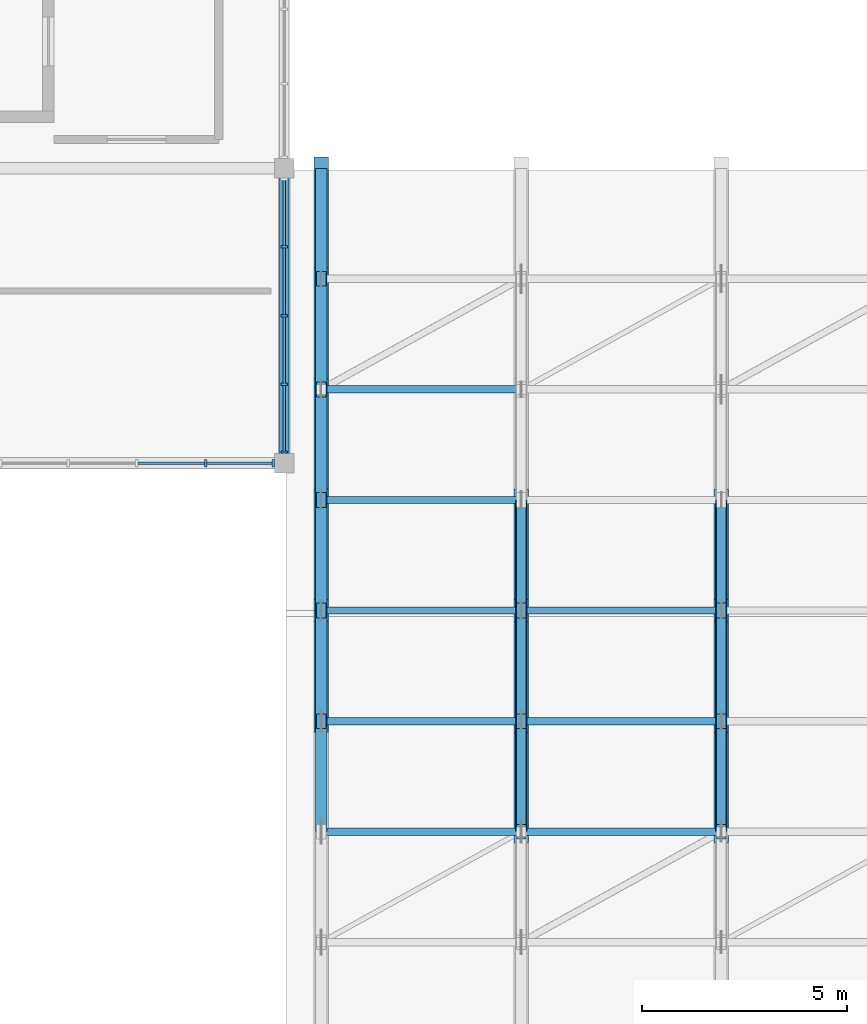
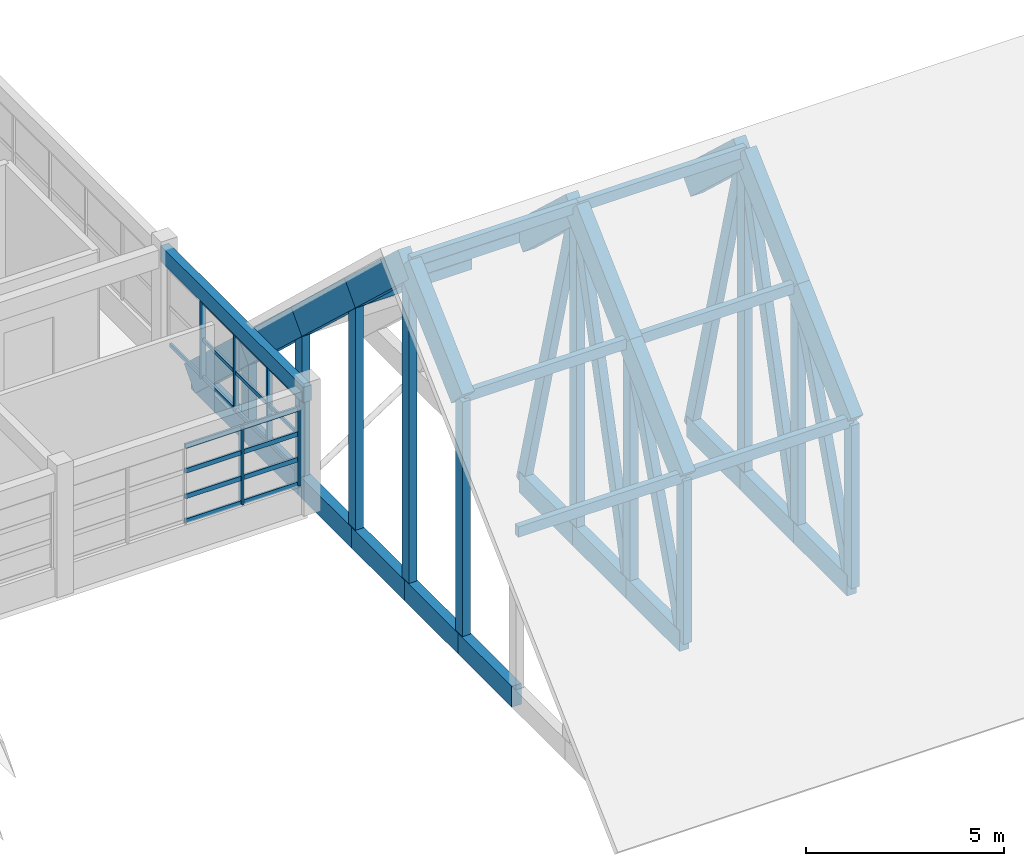
# One storey, part 21 of 79: 72 members, 1 beam, 2 elements without a shape of their own.
"""IFC4 building model written with IfcOpenShell, lengths in metres."""

import ifcopenshell
import ifcopenshell.guid

model = None  # the IFC model being written
_history = None  # IfcOwnerHistory: only IFC2X3 demands one
_inside = {}  # id of a spatial element -> (the spatial element, [elements in it])
_under = {}  # id of a project, library or spatial element -> (it, [spatial elements below it])
_declared = {}  # id of a project -> (the project, [libraries it declares])
_typed = {}  # id of a type object -> (the type object, [elements of that type])
_made_of = {}  # id of a material, layer set ... -> (it, [elements and type objects made of it])


def new_model(schema):
    """Start an empty IFC model of exactly this schema.

    Asked for "IFC4X3", IfcOpenShell would pick the latest addendum, in which some entities
    have other attributes; the version numbers below select the first issue.
    IFC2X3 requires an IfcOwnerHistory on every rooted entity: one is made here for all.
    """
    global model, _history
    if schema == "IFC4X3":
        model = ifcopenshell.file(schema_version=(4, 3, 0, 0))
    else:
        model = ifcopenshell.file(schema=schema)
    _inside.clear()
    _under.clear()
    _declared.clear()
    _typed.clear()
    _made_of.clear()
    _history = None
    if model.schema == "IFC2X3":
        org = make("IfcOrganization", Name="unknown")
        user = make(
            "IfcPersonAndOrganization",
            ThePerson=make("IfcPerson", FamilyName="unknown"),
            TheOrganization=org,
        )
        app = make(
            "IfcApplication",
            ApplicationDeveloper=org,
            Version="unknown",
            ApplicationFullName="unknown",
            ApplicationIdentifier="unknown",
        )
        _history = make(
            "IfcOwnerHistory",
            OwningUser=user,
            OwningApplication=app,
            ChangeAction="ADDED",
            CreationDate=0,
        )
    return model


def make(cls, **values):
    """One entity of the class cls with the attributes given. An attribute that is None is left unset."""
    return model.create_entity(
        cls, **{name: value for name, value in values.items() if value is not None}
    )


def rooted(cls, **values):
    """An entity with a GlobalId (a new one), such as an element, a storey or a relation."""
    return make(cls, GlobalId=ifcopenshell.guid.new(), OwnerHistory=_history, **values)


def si_unit(unit_type, name, prefix=None):
    """IfcSIUnit, for example si_unit("LENGTHUNIT", "METRE", prefix="MILLI")."""
    return make("IfcSIUnit", UnitType=unit_type, Prefix=prefix, Name=name)


def assignment(units):
    """IfcUnitAssignment: the units of a project."""
    return None if units is None else make("IfcUnitAssignment", Units=units)


def point(xyz):
    """IfcCartesianPoint."""
    return None if xyz is None else make("IfcCartesianPoint", Coordinates=xyz)


def direction(xyz):
    """IfcDirection."""
    return None if xyz is None else make("IfcDirection", DirectionRatios=xyz)


def frame(location, z_axis=None, x_axis=None):
    """IfcAxis2Placement3D, a coordinate frame: its origin and axes. An axis left out is left unset."""
    return make(
        "IfcAxis2Placement3D",
        Location=point(location),
        Axis=direction(z_axis),
        RefDirection=direction(x_axis),
    )


def frame_2d(location, x_axis=None):
    """IfcAxis2Placement2D, a coordinate frame in the plane: its origin and x axis."""
    return make(
        "IfcAxis2Placement2D", Location=point(location), RefDirection=direction(x_axis)
    )


def origin():
    """The frame at (0, 0, 0) with its axes left unset."""
    return frame((0.0, 0.0, 0.0))


def origin_2d():
    """The frame at (0, 0) in the plane with its x axis left unset."""
    return frame_2d((0.0, 0.0))


def place(relative_to, where):
    """IfcLocalPlacement: puts the frame where relative to a parent placement (None: the world)."""
    return make(
        "IfcLocalPlacement", PlacementRelTo=relative_to, RelativePlacement=where
    )


def context(
    kind, dimensions, precision=None, world=None, true_north=None, identifier=None
):
    """IfcGeometricRepresentationContext, for example the 3D "Model" context."""
    return make(
        "IfcGeometricRepresentationContext",
        ContextIdentifier=identifier,
        ContextType=kind,
        CoordinateSpaceDimension=dimensions,
        Precision=precision,
        WorldCoordinateSystem=world,
        TrueNorth=true_north,
    )


def subcontext(parent, identifier, kind, view, scale=None):
    """IfcGeometricRepresentationSubContext, for example "Body" below "Model"."""
    return make(
        "IfcGeometricRepresentationSubContext",
        ContextIdentifier=identifier,
        ContextType=kind,
        ParentContext=parent,
        TargetScale=scale,
        TargetView=view,
    )


def project(units=None, contexts=None):
    """IfcProject with its units and contexts."""
    return rooted(
        "IfcProject",
        Name="project",
        RepresentationContexts=contexts,
        UnitsInContext=assignment(units),
    )


def spatial(cls, under=None, at=None, **own):
    """A site, building, storey or space (cls), placed at a placement, below another one or the project."""
    s = rooted(cls, ObjectPlacement=at, **own)
    if under is not None:
        _under.setdefault(under.id(), (under, []))[1].append(s)
    return s


def profile(cls, at=None, kind="AREA", **sizes):
    """A parametric profile (cls). Its sizes go by their IFC names, for example OverallWidth=200.0."""
    return make(cls, ProfileType=kind, Position=at, **sizes)


def rectangle(**sizes):
    """IfcRectangleProfileDef."""
    return profile("IfcRectangleProfileDef", **sizes)


def extrude(swept, where, along, depth):
    """IfcExtrudedAreaSolid: the profile swept, set in the frame where, extruded along a direction by depth."""
    return make(
        "IfcExtrudedAreaSolid",
        SweptArea=swept,
        Position=where,
        ExtrudedDirection=direction(along),
        Depth=depth,
    )


def shape(context_of_items, identifier, shape_type, items):
    """IfcShapeRepresentation: the items that make up one representation, for example the "Body"."""
    return make(
        "IfcShapeRepresentation",
        ContextOfItems=context_of_items,
        RepresentationIdentifier=identifier,
        RepresentationType=shape_type,
        Items=items,
    )


def material(Name=None, Category=None):
    """IfcMaterial."""
    return make("IfcMaterial", Name=Name, Category=Category)


def material_profile(
    of_material, cross_section, Name=None, Category=None, Priority=None
):
    """IfcMaterialProfile: a cross section and its material."""
    return make(
        "IfcMaterialProfile",
        Name=Name,
        Material=of_material,
        Profile=cross_section,
        Priority=Priority,
        Category=Category,
    )


def profile_set(profiles, Name=None, composite=None):
    """IfcMaterialProfileSet."""
    return make(
        "IfcMaterialProfileSet",
        Name=Name,
        MaterialProfiles=profiles,
        CompositeProfile=composite,
    )


def made_of(thing, what):
    """Note that an element or type object is made of a material, layer set ...; save() writes the relation."""
    if what is not None:
        _made_of.setdefault(what.id(), (what, []))[1].append(thing)
    return thing


def type_object(cls, material=None, **own):
    """A type object (cls), such as IfcWallType, which elements share."""
    return made_of(rooted(cls, **own), material)


def element(
    cls,
    number,
    at=None,
    inside=None,
    cuts=None,
    type_object=None,
    material=None,
    context=None,
    identifier="Body",
    shape_type=None,
    held_by="IfcProductDefinitionShape",
    body=None,
    shapes=None,
    **own,
):
    """One element of the class cls, such as IfcWall. Its Tag is "e" and its number.

    at: its placement. inside: the storey or other place that contains it. cuts: it is an
    opening in that element (IfcRelVoidsElement). A single representation is given by context,
    identifier, shape_type and body (its items); several are given by shapes. held_by: the class
    of the entity that holds the representations. save() writes the other relations.
    """
    e = rooted(cls, Tag="e%d" % number, ObjectPlacement=at, **own)
    if body is not None:
        shapes = [shape(context, identifier, shape_type, body)]
    if shapes is not None:
        e.Representation = make(held_by, Representations=shapes)
    if inside is not None:
        _inside.setdefault(inside.id(), (inside, []))[1].append(e)
    if cuts is not None:
        rooted(
            "IfcRelVoidsElement", RelatingBuildingElement=cuts, RelatedOpeningElement=e
        )
    if type_object is not None:
        _typed.setdefault(type_object.id(), (type_object, []))[1].append(e)
    return made_of(e, material)


def aggregate(whole, parts):
    """IfcRelAggregates: a whole, such as a stair, and the parts it consists of."""
    return rooted("IfcRelAggregates", RelatingObject=whole, RelatedObjects=parts)


def save(model, path):
    """Write the relations noted so far, then the file.

    IfcRelAggregates (storeys below a building ...), IfcRelContainedInSpatialStructure (elements
    in a storey), IfcRelDefinesByType, IfcRelAssociatesMaterial and IfcRelDeclares: one each for
    every whole, place, type object, material and project.
    """
    for whole, parts in _under.values():
        aggregate(whole, parts)
    for where, things in _inside.values():
        rooted(
            "IfcRelContainedInSpatialStructure",
            RelatedElements=things,
            RelatingStructure=where,
        )
    for kind, things in _typed.values():
        rooted("IfcRelDefinesByType", RelatedObjects=things, RelatingType=kind)
    for what, things in _made_of.values():
        rooted("IfcRelAssociatesMaterial", RelatedObjects=things, RelatingMaterial=what)
    for by, libraries in _declared.values():
        rooted("IfcRelDeclares", RelatingContext=by, RelatedDefinitions=libraries)
    model.write(path)


model = new_model("IFC4")

# Units and contexts
model_context = context("Model", 3, precision=1e-05, world=origin(), true_north=direction((0.0, 1.0)))
body_context = subcontext(model_context, "Body", "Model", "MODEL_VIEW")
ifc_project = project(units=[si_unit("LENGTHUNIT", "METRE"), si_unit("AREAUNIT", "SQUARE_METRE"), si_unit("VOLUMEUNIT", "CUBIC_METRE"), si_unit("PLANEANGLEUNIT", "RADIAN"), si_unit("MASSUNIT", "GRAM", prefix="KILO")], contexts=[model_context])

# Site, building, storey
site_placement = place(None, origin())
site = spatial("IfcSite", under=ifc_project, at=site_placement, CompositionType="ELEMENT")
building_placement = place(site_placement, origin())
building = spatial("IfcBuilding", under=site, at=building_placement, Name="Nzembalo Square Collegiate School", CompositionType="ELEMENT")
storey_placement = place(building_placement, frame((0.0, 0.0, 9.52001953125)))
storey = spatial("IfcBuildingStorey", under=building, at=storey_placement, Name="L02", CompositionType="ELEMENT", Elevation=9.52001953125)

# Beam
ifc_material_1 = material(Name="Glulam GL28h", Category="wood")
ifc_material_profile_1 = material_profile(ifc_material_1, rectangle(XDim=0.239990234375, YDim=0.47998046875, at=origin_2d()), Name="GL28h 240x480")
ifc_profile_set_1 = profile_set([ifc_material_profile_1], Name="Glulam GL28h")
beam_type = type_object("IfcBeamType", Name="B06", PredefinedType="BEAM", material=ifc_profile_set_1)
beam_placement = place(storey_placement, frame((91.199951171875, 97.199951171875, 3.544921875), z_axis=(0.0, 1.0, 0.0), x_axis=(-1.0, 0.0, 0.0)))
element("IfcBeam", 1, at=beam_placement, inside=storey, type_object=beam_type, Name="Beam B06 L02", PredefinedType="BEAM", context=body_context, shape_type="SweptSolid", body=[
    extrude(rectangle(XDim=0.239990234375, YDim=0.47998046875, at=origin_2d()), origin(), (0.0, 0.0, 1.0), 7.199951171875),
])

# Curtain wall, members
ifc_material_2 = material(Name="Aluminium 6060-T66", Category="aluminium")
curtain_wall_type_1 = type_object("IfcCurtainWallType", Name="CW-02", PredefinedType="USERDEFINED", material=ifc_material_2)
curtain_wall_1_placement = place(storey_placement, origin())
curtain_wall_1 = element("IfcCurtainWall", 2, at=curtain_wall_1_placement, inside=storey, type_object=curtain_wall_type_1, Name="Curtain wall CW-02 cw:L02:113", ObjectType="UNITISED", PredefinedType="USERDEFINED")
ifc_material_3 = material(Name="Aluminium 6060-T66", Category="aluminium")
ifc_material_profile_2 = material_profile(ifc_material_3, rectangle(XDim=0.06005859375, YDim=0.179931640625, at=origin_2d()), Name="ALU M60x180")
ifc_profile_set_2 = profile_set([ifc_material_profile_2], Name="Aluminium 6060-T66")
member_type_1 = type_object("IfcMemberType", Name="ML01", PredefinedType="MULLION", material=ifc_profile_set_2)
member_1_placement = place(storey_placement, frame((89.279052734375, 97.199951171875, 0.85009765625), z_axis=(0.0, 0.0, 1.0), x_axis=(1.0, 0.0, 0.0)))
member_1 = element("IfcMember", 3, at=member_1_placement, type_object=member_type_1, Name="ML01 mullion 4", PredefinedType="MULLION", context=body_context, shape_type="SweptSolid", body=[
    extrude(rectangle(XDim=0.06005859375, YDim=0.179931640625, at=origin_2d()), origin(), (0.0, 0.0, 1.0), 2.368896484375),
])
member_2_placement = place(storey_placement, frame((90.927978515625, 97.199951171875, 0.85009765625), z_axis=(0.0, 0.0, 1.0), x_axis=(1.0, 0.0, 0.0)))
member_2 = element("IfcMember", 4, at=member_2_placement, type_object=member_type_1, Name="ML01 mullion 5", PredefinedType="MULLION", context=body_context, shape_type="SweptSolid", body=[
    extrude(rectangle(XDim=0.06005859375, YDim=0.179931640625, at=origin_2d()), origin(), (0.0, 0.0, 1.0), 2.368896484375),
])

ifc_material_4 = material(Name="Aluminium 6060-T66", Category="aluminium")
curtain_wall_type_2 = type_object("IfcCurtainWallType", Name="CW-07", PredefinedType="USERDEFINED", material=ifc_material_4)
curtain_wall_2_placement = place(storey_placement, origin())
curtain_wall_2 = element("IfcCurtainWall", 5, at=curtain_wall_2_placement, inside=storey, type_object=curtain_wall_type_2, Name="Curtain wall CW-07 cw:L02:110", ObjectType="LANCET", PredefinedType="USERDEFINED")
ifc_material_5 = material(Name="Aluminium 6060-T66", Category="aluminium")
ifc_material_profile_3 = material_profile(ifc_material_5, rectangle(XDim=0.06005859375, YDim=0.14990234375, at=origin_2d()), Name="ALU M60x150")
ifc_profile_set_3 = profile_set([ifc_material_profile_3], Name="Aluminium 6060-T66")
member_type_2 = type_object("IfcMemberType", Name="ML02", PredefinedType="MULLION", material=ifc_profile_set_3)
member_3_placement = place(storey_placement, frame((91.199951171875, 97.471923828125, 0.85009765625), z_axis=(0.0, 0.0, 1.0), x_axis=(0.0, 1.0, 0.0)))
member_3 = element("IfcMember", 6, at=member_3_placement, type_object=member_type_2, Name="ML02 mullion 1", PredefinedType="MULLION", context=body_context, shape_type="SweptSolid", body=[
    extrude(rectangle(XDim=0.06005859375, YDim=0.14990234375, at=origin_2d()), origin(), (0.0, 0.0, 1.0), 2.368896484375),
])
member_4_placement = place(storey_placement, frame((91.199951171875, 99.12109375, 0.85009765625), z_axis=(0.0, 0.0, 1.0), x_axis=(0.0, 1.0, 0.0)))
member_4 = element("IfcMember", 7, at=member_4_placement, type_object=member_type_2, Name="ML02 mullion 2", PredefinedType="MULLION", context=body_context, shape_type="SweptSolid", body=[
    extrude(rectangle(XDim=0.06005859375, YDim=0.14990234375, at=origin_2d()), origin(), (0.0, 0.0, 1.0), 2.368896484375),
])
member_5_placement = place(storey_placement, frame((91.199951171875, 100.800048828125, 0.85009765625), z_axis=(0.0, 0.0, 1.0), x_axis=(0.0, 1.0, 0.0)))
member_5 = element("IfcMember", 8, at=member_5_placement, type_object=member_type_2, Name="ML02 mullion 3", PredefinedType="MULLION", context=body_context, shape_type="SweptSolid", body=[
    extrude(rectangle(XDim=0.06005859375, YDim=0.14990234375, at=origin_2d()), origin(), (0.0, 0.0, 1.0), 2.368896484375),
])
member_6_placement = place(storey_placement, frame((91.199951171875, 102.47900390625, 0.85009765625), z_axis=(0.0, 0.0, 1.0), x_axis=(0.0, 1.0, 0.0)))
member_6 = element("IfcMember", 9, at=member_6_placement, type_object=member_type_2, Name="ML02 mullion 4", PredefinedType="MULLION", context=body_context, shape_type="SweptSolid", body=[
    extrude(rectangle(XDim=0.06005859375, YDim=0.14990234375, at=origin_2d()), origin(), (0.0, 0.0, 1.0), 2.368896484375),
])

# Member
ifc_material_6 = material(Name="Aluminium 6060-T66", Category="aluminium")
ifc_material_profile_4 = material_profile(ifc_material_6, rectangle(XDim=0.06005859375, YDim=0.139892578125, at=origin_2d()), Name="ALU T60x140")
ifc_profile_set_4 = profile_set([ifc_material_profile_4], Name="Aluminium 6060-T66")
member_type_3 = type_object("IfcMemberType", Name="TR01", PredefinedType="USERDEFINED", material=ifc_profile_set_4)
member_7_placement = place(storey_placement, frame((87.6298828125, 97.199951171875, 0.8798828125), z_axis=(1.0, 0.0, 0.0), x_axis=(0.0, 1.0, 0.0)))
member_7 = element("IfcMember", 10, at=member_7_placement, type_object=member_type_3, Name="TR01 transom 1-3", ObjectType="TRANSOM", PredefinedType="USERDEFINED", context=body_context, shape_type="SweptSolid", body=[
    extrude(rectangle(XDim=0.06005859375, YDim=0.139892578125, at=origin_2d()), origin(), (0.0, 0.0, 1.0), 1.619140625),
])

member_8_placement = place(storey_placement, frame((89.30908203125, 97.199951171875, 0.8798828125), z_axis=(1.0, 0.0, 0.0), x_axis=(0.0, 1.0, 0.0)))
member_8 = element("IfcMember", 11, at=member_8_placement, type_object=member_type_3, Name="TR01 transom 1-4", ObjectType="TRANSOM", PredefinedType="USERDEFINED", context=body_context, shape_type="SweptSolid", body=[
    extrude(rectangle(XDim=0.06005859375, YDim=0.139892578125, at=origin_2d()), origin(), (0.0, 0.0, 1.0), 1.5888671875),
])

member_9_placement = place(storey_placement, frame((87.6298828125, 97.199951171875, 1.6396484375), z_axis=(1.0, 0.0, 0.0), x_axis=(0.0, 1.0, 0.0)))
member_9 = element("IfcMember", 12, at=member_9_placement, type_object=member_type_3, Name="TR01 transom 2-3", ObjectType="TRANSOM", PredefinedType="USERDEFINED", context=body_context, shape_type="SweptSolid", body=[
    extrude(rectangle(XDim=0.06005859375, YDim=0.139892578125, at=origin_2d()), origin(), (0.0, 0.0, 1.0), 1.619140625),
])

member_10_placement = place(storey_placement, frame((89.30908203125, 97.199951171875, 1.6396484375), z_axis=(1.0, 0.0, 0.0), x_axis=(0.0, 1.0, 0.0)))
member_10 = element("IfcMember", 13, at=member_10_placement, type_object=member_type_3, Name="TR01 transom 2-4", ObjectType="TRANSOM", PredefinedType="USERDEFINED", context=body_context, shape_type="SweptSolid", body=[
    extrude(rectangle(XDim=0.06005859375, YDim=0.139892578125, at=origin_2d()), origin(), (0.0, 0.0, 1.0), 1.5888671875),
])

member_11_placement = place(storey_placement, frame((87.6298828125, 97.199951171875, 2.42919921875), z_axis=(1.0, 0.0, 0.0), x_axis=(0.0, 1.0, 0.0)))
member_11 = element("IfcMember", 14, at=member_11_placement, type_object=member_type_3, Name="TR01 transom 3-3", ObjectType="TRANSOM", PredefinedType="USERDEFINED", context=body_context, shape_type="SweptSolid", body=[
    extrude(rectangle(XDim=0.06005859375, YDim=0.139892578125, at=origin_2d()), origin(), (0.0, 0.0, 1.0), 1.619140625),
])

member_12_placement = place(storey_placement, frame((89.30908203125, 97.199951171875, 2.42919921875), z_axis=(1.0, 0.0, 0.0), x_axis=(0.0, 1.0, 0.0)))
member_12 = element("IfcMember", 15, at=member_12_placement, type_object=member_type_3, Name="TR01 transom 3-4", ObjectType="TRANSOM", PredefinedType="USERDEFINED", context=body_context, shape_type="SweptSolid", body=[
    extrude(rectangle(XDim=0.06005859375, YDim=0.139892578125, at=origin_2d()), origin(), (0.0, 0.0, 1.0), 1.5888671875),
])

member_13_placement = place(storey_placement, frame((87.6298828125, 97.199951171875, 3.18896484375), z_axis=(1.0, 0.0, 0.0), x_axis=(0.0, 1.0, 0.0)))
member_13 = element("IfcMember", 16, at=member_13_placement, type_object=member_type_3, Name="TR01 transom 4-3", ObjectType="TRANSOM", PredefinedType="USERDEFINED", context=body_context, shape_type="SweptSolid", body=[
    extrude(rectangle(XDim=0.06005859375, YDim=0.139892578125, at=origin_2d()), origin(), (0.0, 0.0, 1.0), 1.619140625),
])

member_14_placement = place(storey_placement, frame((89.30908203125, 97.199951171875, 3.18896484375), z_axis=(1.0, 0.0, 0.0), x_axis=(0.0, 1.0, 0.0)))
member_14 = element("IfcMember", 17, at=member_14_placement, type_object=member_type_3, Name="TR01 transom 4-4", ObjectType="TRANSOM", PredefinedType="USERDEFINED", context=body_context, shape_type="SweptSolid", body=[
    extrude(rectangle(XDim=0.06005859375, YDim=0.139892578125, at=origin_2d()), origin(), (0.0, 0.0, 1.0), 1.5888671875),
])

aggregate(curtain_wall_1, [member_1, member_2, member_7, member_8, member_9, member_10, member_11, member_12, member_13, member_14])

ifc_material_7 = material(Name="Aluminium 6060-T66", Category="aluminium")
ifc_material_profile_5 = material_profile(ifc_material_7, rectangle(XDim=0.06005859375, YDim=0.110107421875, at=origin_2d()), Name="ALU T60x110")
ifc_profile_set_5 = profile_set([ifc_material_profile_5], Name="Aluminium 6060-T66")
member_type_4 = type_object("IfcMemberType", Name="TR02", PredefinedType="USERDEFINED", material=ifc_profile_set_5)
member_15_placement = place(storey_placement, frame((91.199951171875, 97.501953125, 0.8798828125), z_axis=(0.0, 1.0, 0.0), x_axis=(-1.0, 0.0, 0.0)))
member_15 = element("IfcMember", 18, at=member_15_placement, type_object=member_type_4, Name="TR02 transom 1-1", ObjectType="TRANSOM", PredefinedType="USERDEFINED", context=body_context, shape_type="SweptSolid", body=[
    extrude(rectangle(XDim=0.06005859375, YDim=0.110107421875, at=origin_2d()), origin(), (0.0, 0.0, 1.0), 1.589111328125),
])

member_16_placement = place(storey_placement, frame((91.199951171875, 99.15087890625, 0.8798828125), z_axis=(0.0, 1.0, 0.0), x_axis=(-1.0, 0.0, 0.0)))
member_16 = element("IfcMember", 19, at=member_16_placement, type_object=member_type_4, Name="TR02 transom 1-2", ObjectType="TRANSOM", PredefinedType="USERDEFINED", context=body_context, shape_type="SweptSolid", body=[
    extrude(rectangle(XDim=0.06005859375, YDim=0.110107421875, at=origin_2d()), origin(), (0.0, 0.0, 1.0), 1.619140625),
])

member_17_placement = place(storey_placement, frame((91.199951171875, 100.830078125, 0.8798828125), z_axis=(0.0, 1.0, 0.0), x_axis=(-1.0, 0.0, 0.0)))
member_17 = element("IfcMember", 20, at=member_17_placement, type_object=member_type_4, Name="TR02 transom 1-3", ObjectType="TRANSOM", PredefinedType="USERDEFINED", context=body_context, shape_type="SweptSolid", body=[
    extrude(rectangle(XDim=0.06005859375, YDim=0.110107421875, at=origin_2d()), origin(), (0.0, 0.0, 1.0), 1.618896484375),
])

member_18_placement = place(storey_placement, frame((91.199951171875, 102.509033203125, 0.8798828125), z_axis=(0.0, 1.0, 0.0), x_axis=(-1.0, 0.0, 0.0)))
member_18 = element("IfcMember", 21, at=member_18_placement, type_object=member_type_4, Name="TR02 transom 1-4", ObjectType="TRANSOM", PredefinedType="USERDEFINED", context=body_context, shape_type="SweptSolid", body=[
    extrude(rectangle(XDim=0.06005859375, YDim=0.110107421875, at=origin_2d()), origin(), (0.0, 0.0, 1.0), 1.5888671875),
])

member_19_placement = place(storey_placement, frame((91.199951171875, 97.501953125, 2.034423828125), z_axis=(0.0, 1.0, 0.0), x_axis=(-1.0, 0.0, 0.0)))
member_19 = element("IfcMember", 22, at=member_19_placement, type_object=member_type_4, Name="TR02 transom 2-1", ObjectType="TRANSOM", PredefinedType="USERDEFINED", context=body_context, shape_type="SweptSolid", body=[
    extrude(rectangle(XDim=0.06005859375, YDim=0.110107421875, at=origin_2d()), origin(), (0.0, 0.0, 1.0), 1.589111328125),
])

member_20_placement = place(storey_placement, frame((91.199951171875, 99.15087890625, 2.034423828125), z_axis=(0.0, 1.0, 0.0), x_axis=(-1.0, 0.0, 0.0)))
member_20 = element("IfcMember", 23, at=member_20_placement, type_object=member_type_4, Name="TR02 transom 2-2", ObjectType="TRANSOM", PredefinedType="USERDEFINED", context=body_context, shape_type="SweptSolid", body=[
    extrude(rectangle(XDim=0.06005859375, YDim=0.110107421875, at=origin_2d()), origin(), (0.0, 0.0, 1.0), 1.619140625),
])

member_21_placement = place(storey_placement, frame((91.199951171875, 100.830078125, 2.034423828125), z_axis=(0.0, 1.0, 0.0), x_axis=(-1.0, 0.0, 0.0)))
member_21 = element("IfcMember", 24, at=member_21_placement, type_object=member_type_4, Name="TR02 transom 2-3", ObjectType="TRANSOM", PredefinedType="USERDEFINED", context=body_context, shape_type="SweptSolid", body=[
    extrude(rectangle(XDim=0.06005859375, YDim=0.110107421875, at=origin_2d()), origin(), (0.0, 0.0, 1.0), 1.618896484375),
])

member_22_placement = place(storey_placement, frame((91.199951171875, 97.501953125, 3.18896484375), z_axis=(0.0, 1.0, 0.0), x_axis=(-1.0, 0.0, 0.0)))
member_22 = element("IfcMember", 25, at=member_22_placement, type_object=member_type_4, Name="TR02 transom 3-1", ObjectType="TRANSOM", PredefinedType="USERDEFINED", context=body_context, shape_type="SweptSolid", body=[
    extrude(rectangle(XDim=0.06005859375, YDim=0.110107421875, at=origin_2d()), origin(), (0.0, 0.0, 1.0), 1.589111328125),
])

member_23_placement = place(storey_placement, frame((91.199951171875, 99.15087890625, 3.18896484375), z_axis=(0.0, 1.0, 0.0), x_axis=(-1.0, 0.0, 0.0)))
member_23 = element("IfcMember", 26, at=member_23_placement, type_object=member_type_4, Name="TR02 transom 3-2", ObjectType="TRANSOM", PredefinedType="USERDEFINED", context=body_context, shape_type="SweptSolid", body=[
    extrude(rectangle(XDim=0.06005859375, YDim=0.110107421875, at=origin_2d()), origin(), (0.0, 0.0, 1.0), 1.619140625),
])

member_24_placement = place(storey_placement, frame((91.199951171875, 100.830078125, 3.18896484375), z_axis=(0.0, 1.0, 0.0), x_axis=(-1.0, 0.0, 0.0)))
member_24 = element("IfcMember", 27, at=member_24_placement, type_object=member_type_4, Name="TR02 transom 3-3", ObjectType="TRANSOM", PredefinedType="USERDEFINED", context=body_context, shape_type="SweptSolid", body=[
    extrude(rectangle(XDim=0.06005859375, YDim=0.110107421875, at=origin_2d()), origin(), (0.0, 0.0, 1.0), 1.618896484375),
])

aggregate(curtain_wall_2, [member_3, member_4, member_5, member_6, member_15, member_16, member_17, member_18, member_19, member_20, member_21, member_22, member_23, member_24])

# Members
ifc_material_8 = material(Name="Glulam GL28h", Category="wood")
ifc_material_profile_6 = material_profile(ifc_material_8, rectangle(XDim=0.179931640625, YDim=0.320068359375, at=origin_2d()), Name="GL28h 180x320")
ifc_profile_set_6 = profile_set([ifc_material_profile_6], Name="Glulam GL28h")
member_type_5 = type_object("IfcMemberType", Name="PR01", PredefinedType="PURLIN", material=ifc_profile_set_6)
for number, where, z_axis, x_axis, name in (
    (28, (92.10009765625, 88.199951171875, 4.47509765625), (1.0, 0.0, 0.0), (0.0, 1.0, 0.0), "Roof purlin PR01 GT-AH1-02-2"),
    (29, (92.10009765625, 90.89990234375, 6.989990234375), (1.0, 0.0, 0.0), (0.0, 1.0, 0.0), "Roof purlin PR01 GT-AH1-02-3"),
    (30, (92.10009765625, 93.60009765625, 9.5048828125), (1.0, 0.0, 0.0), (0.0, 1.0, 0.0), "Roof purlin PR01 GT-AH1-02-4"),
    (31, (92.10009765625, 96.300048828125, 6.989990234375), (1.0, 0.0, 0.0), (0.0, 1.0, 0.0), "Roof purlin PR01 GT-AH1-02-5"),
    (32, (92.10009765625, 99.0, 4.47509765625), (1.0, 0.0, 0.0), (0.0, 1.0, 0.0), "Roof purlin PR01 GT-AH1-02-6"),
):
    element("IfcMember", number, at=place(storey_placement, frame(where, z_axis=z_axis, x_axis=x_axis)), inside=storey, type_object=member_type_5, Name=name, PredefinedType="PURLIN", context=body_context, shape_type="SweptSolid", body=[
        extrude(rectangle(XDim=0.179931640625, YDim=0.320068359375, at=origin_2d()), origin(), (0.0, 0.0, 1.0), 4.885498046875),
    ])
for number, where, z_axis, x_axis, name in (
    (33, (96.985595703125, 88.199951171875, 4.47509765625), (1.0, 0.0, 0.0), (0.0, 1.0, 0.0), "Roof purlin PR01 GT-AH1-03-2"),
    (34, (96.985595703125, 90.89990234375, 6.989990234375), (1.0, 0.0, 0.0), (0.0, 1.0, 0.0), "Roof purlin PR01 GT-AH1-03-3"),
    (35, (96.985595703125, 93.60009765625, 9.5048828125), (1.0, 0.0, 0.0), (0.0, 1.0, 0.0), "Roof purlin PR01 GT-AH1-03-4"),
):
    element("IfcMember", number, at=place(storey_placement, frame(where, z_axis=z_axis, x_axis=x_axis)), inside=storey, type_object=member_type_5, Name=name, PredefinedType="PURLIN", context=body_context, shape_type="SweptSolid", body=[
        extrude(rectangle(XDim=0.179931640625, YDim=0.320068359375, at=origin_2d()), origin(), (0.0, 0.0, 1.0), 4.8857421875),
    ])
ifc_material_9 = material(Name="Glulam GL32h", Category="wood")
ifc_material_profile_7 = material_profile(ifc_material_9, rectangle(XDim=0.360107421875, YDim=0.800048828125, at=origin_2d()), Name="GL32h 360x800")
ifc_profile_set_7 = profile_set([ifc_material_profile_7], Name="Glulam GL32h")
member_type_6 = type_object("IfcMemberType", Name="TC01", PredefinedType="CHORD", material=ifc_profile_set_7)
member_25_placement = place(storey_placement, frame((92.10009765625, 90.89990234375, 6.945068359375), z_axis=(0.0, 0.731769937077, 0.681551728918), x_axis=(-1.0, 0.0, 0.0)))
element("IfcMember", 36, at=member_25_placement, inside=storey, type_object=member_type_6, Name="GT-AH1-01 top chord 4", PredefinedType="CHORD", context=body_context, shape_type="SweptSolid", body=[
    extrude(rectangle(XDim=0.360107421875, YDim=0.800048828125, at=origin_2d()), origin(), (0.0, 0.0, 1.0), 3.68994140625),
])
member_26_placement = place(storey_placement, frame((92.10009765625, 93.60009765625, 9.4599609375), z_axis=(0.0, 0.731739200986, -0.681584728218), x_axis=(-1.0, 0.0, 0.0)))
element("IfcMember", 37, at=member_26_placement, inside=storey, type_object=member_type_6, Name="GT-AH1-01 top chord 5", PredefinedType="CHORD", context=body_context, shape_type="SweptSolid", body=[
    extrude(rectangle(XDim=0.360107421875, YDim=0.800048828125, at=origin_2d()), origin(), (0.0, 0.0, 1.0), 3.689697265625),
])
member_27_placement = place(storey_placement, frame((92.10009765625, 96.300048828125, 6.945068359375), z_axis=(0.0, 0.731706201412, -0.681620154349), x_axis=(-1.0, 0.0, 0.0)))
element("IfcMember", 38, at=member_27_placement, inside=storey, type_object=member_type_6, Name="GT-AH1-01 top chord 6", PredefinedType="CHORD", context=body_context, shape_type="SweptSolid", body=[
    extrude(rectangle(XDim=0.360107421875, YDim=0.800048828125, at=origin_2d()), origin(), (0.0, 0.0, 1.0), 3.68994140625),
])
member_28_placement = place(storey_placement, frame((92.10009765625, 99.0, 4.429931640625), z_axis=(0.0, 0.731739200986, -0.681584728218), x_axis=(-1.0, 0.0, 0.0)))
element("IfcMember", 39, at=member_28_placement, inside=storey, type_object=member_type_6, Name="GT-AH1-01 top chord 7", PredefinedType="CHORD", context=body_context, shape_type="SweptSolid", body=[
    extrude(rectangle(XDim=0.360107421875, YDim=0.800048828125, at=origin_2d()), origin(), (0.0, 0.0, 1.0), 3.689697265625),
])
for number, where, z_axis, x_axis, name in (
    (40, (92.10009765625, 101.699951171875, 1.9150390625), (0.0, 0.731706201412, -0.681620154349), (-1.0, 0.0, 0.0), "GT-AH1-01 top chord 8"),
    (41, (96.985595703125, 88.199951171875, 4.429931640625), (0.0, 0.731706201412, 0.681620154349), (-1.0, 0.0, 0.0), "GT-AH1-02 top chord 3"),
    (42, (96.985595703125, 90.89990234375, 6.945068359375), (0.0, 0.731769937077, 0.681551728918), (-1.0, 0.0, 0.0), "GT-AH1-02 top chord 4"),
):
    element("IfcMember", number, at=place(storey_placement, frame(where, z_axis=z_axis, x_axis=x_axis)), inside=storey, type_object=member_type_6, Name=name, PredefinedType="CHORD", context=body_context, shape_type="SweptSolid", body=[
        extrude(rectangle(XDim=0.360107421875, YDim=0.800048828125, at=origin_2d()), origin(), (0.0, 0.0, 1.0), 3.68994140625),
    ])
member_29_placement = place(storey_placement, frame((96.985595703125, 93.60009765625, 9.4599609375), z_axis=(0.0, 0.731739200986, -0.681584728218), x_axis=(-1.0, 0.0, 0.0)))
element("IfcMember", 43, at=member_29_placement, inside=storey, type_object=member_type_6, Name="GT-AH1-02 top chord 5", PredefinedType="CHORD", context=body_context, shape_type="SweptSolid", body=[
    extrude(rectangle(XDim=0.360107421875, YDim=0.800048828125, at=origin_2d()), origin(), (0.0, 0.0, 1.0), 3.689697265625),
])
for number, where, z_axis, x_axis, name in (
    (44, (101.871337890625, 88.199951171875, 4.429931640625), (0.0, 0.731706201412, 0.681620154349), (-1.0, 0.0, 0.0), "GT-AH1-03 top chord 3"),
    (45, (101.871337890625, 90.89990234375, 6.945068359375), (0.0, 0.731769937077, 0.681551728918), (-1.0, 0.0, 0.0), "GT-AH1-03 top chord 4"),
):
    element("IfcMember", number, at=place(storey_placement, frame(where, z_axis=z_axis, x_axis=x_axis)), inside=storey, type_object=member_type_6, Name=name, PredefinedType="CHORD", context=body_context, shape_type="SweptSolid", body=[
        extrude(rectangle(XDim=0.360107421875, YDim=0.800048828125, at=origin_2d()), origin(), (0.0, 0.0, 1.0), 3.68994140625),
    ])
member_30_placement = place(storey_placement, frame((101.871337890625, 93.60009765625, 9.4599609375), z_axis=(0.0, 0.731739200986, -0.681584728218), x_axis=(-1.0, 0.0, 0.0)))
element("IfcMember", 46, at=member_30_placement, inside=storey, type_object=member_type_6, Name="GT-AH1-03 top chord 5", PredefinedType="CHORD", context=body_context, shape_type="SweptSolid", body=[
    extrude(rectangle(XDim=0.360107421875, YDim=0.800048828125, at=origin_2d()), origin(), (0.0, 0.0, 1.0), 3.689697265625),
])
ifc_material_10 = material(Name="Glulam GL32h", Category="wood")
ifc_material_profile_8 = material_profile(ifc_material_10, rectangle(XDim=0.280029296875, YDim=0.639892578125, at=origin_2d()), Name="GL32h 280x640")
ifc_profile_set_8 = profile_set([ifc_material_profile_8], Name="Glulam GL32h")
member_type_7 = type_object("IfcMemberType", Name="TC02", PredefinedType="CHORD", material=ifc_profile_set_8)
member_31_placement = place(storey_placement, frame((92.10009765625, 88.199951171875, -0.60009765625), z_axis=(0.0, 1.0, 0.0), x_axis=(-1.0, 0.0, 0.0)))
element("IfcMember", 47, at=member_31_placement, inside=storey, type_object=member_type_7, Name="GT-AH1-01 bottom chord 3", PredefinedType="CHORD", context=body_context, shape_type="SweptSolid", body=[
    extrude(rectangle(XDim=0.280029296875, YDim=0.639892578125, at=origin_2d()), origin(), (0.0, 0.0, 1.0), 2.699951171875),
])
member_32_placement = place(storey_placement, frame((92.10009765625, 90.89990234375, -0.60009765625), z_axis=(0.0, 1.0, 0.0), x_axis=(-1.0, 0.0, 0.0)))
element("IfcMember", 48, at=member_32_placement, inside=storey, type_object=member_type_7, Name="GT-AH1-01 bottom chord 4", PredefinedType="CHORD", context=body_context, shape_type="SweptSolid", body=[
    extrude(rectangle(XDim=0.280029296875, YDim=0.639892578125, at=origin_2d()), origin(), (0.0, 0.0, 1.0), 2.7001953125),
])
for number, where, z_axis, x_axis, name in (
    (49, (92.10009765625, 93.60009765625, -0.60009765625), (0.0, 1.0, 0.0), (-1.0, 0.0, 0.0), "GT-AH1-01 bottom chord 5"),
    (50, (92.10009765625, 96.300048828125, -0.60009765625), (0.0, 1.0, 0.0), (-1.0, 0.0, 0.0), "GT-AH1-01 bottom chord 6"),
    (51, (92.10009765625, 99.0, -0.60009765625), (0.0, 1.0, 0.0), (-1.0, 0.0, 0.0), "GT-AH1-01 bottom chord 7"),
    (52, (92.10009765625, 101.699951171875, -0.60009765625), (0.0, 1.0, 0.0), (-1.0, 0.0, 0.0), "GT-AH1-01 bottom chord 8"),
    (53, (96.985595703125, 88.199951171875, -0.60009765625), (0.0, 1.0, 0.0), (-1.0, 0.0, 0.0), "GT-AH1-02 bottom chord 3"),
):
    element("IfcMember", number, at=place(storey_placement, frame(where, z_axis=z_axis, x_axis=x_axis)), inside=storey, type_object=member_type_7, Name=name, PredefinedType="CHORD", context=body_context, shape_type="SweptSolid", body=[
        extrude(rectangle(XDim=0.280029296875, YDim=0.639892578125, at=origin_2d()), origin(), (0.0, 0.0, 1.0), 2.699951171875),
    ])
member_33_placement = place(storey_placement, frame((96.985595703125, 90.89990234375, -0.60009765625), z_axis=(0.0, 1.0, 0.0), x_axis=(-1.0, 0.0, 0.0)))
element("IfcMember", 54, at=member_33_placement, inside=storey, type_object=member_type_7, Name="GT-AH1-02 bottom chord 4", PredefinedType="CHORD", context=body_context, shape_type="SweptSolid", body=[
    extrude(rectangle(XDim=0.280029296875, YDim=0.639892578125, at=origin_2d()), origin(), (0.0, 0.0, 1.0), 2.7001953125),
])
for number, where, z_axis, x_axis, name in (
    (55, (96.985595703125, 93.60009765625, -0.60009765625), (0.0, 1.0, 0.0), (-1.0, 0.0, 0.0), "GT-AH1-02 bottom chord 5"),
    (56, (101.871337890625, 88.199951171875, -0.60009765625), (0.0, 1.0, 0.0), (-1.0, 0.0, 0.0), "GT-AH1-03 bottom chord 3"),
):
    element("IfcMember", number, at=place(storey_placement, frame(where, z_axis=z_axis, x_axis=x_axis)), inside=storey, type_object=member_type_7, Name=name, PredefinedType="CHORD", context=body_context, shape_type="SweptSolid", body=[
        extrude(rectangle(XDim=0.280029296875, YDim=0.639892578125, at=origin_2d()), origin(), (0.0, 0.0, 1.0), 2.699951171875),
    ])
member_34_placement = place(storey_placement, frame((101.871337890625, 90.89990234375, -0.60009765625), z_axis=(0.0, 1.0, 0.0), x_axis=(-1.0, 0.0, 0.0)))
element("IfcMember", 57, at=member_34_placement, inside=storey, type_object=member_type_7, Name="GT-AH1-03 bottom chord 4", PredefinedType="CHORD", context=body_context, shape_type="SweptSolid", body=[
    extrude(rectangle(XDim=0.280029296875, YDim=0.639892578125, at=origin_2d()), origin(), (0.0, 0.0, 1.0), 2.7001953125),
])
member_35_placement = place(storey_placement, frame((101.871337890625, 93.60009765625, -0.60009765625), z_axis=(0.0, 1.0, 0.0), x_axis=(-1.0, 0.0, 0.0)))
element("IfcMember", 58, at=member_35_placement, inside=storey, type_object=member_type_7, Name="GT-AH1-03 bottom chord 5", PredefinedType="CHORD", context=body_context, shape_type="SweptSolid", body=[
    extrude(rectangle(XDim=0.280029296875, YDim=0.639892578125, at=origin_2d()), origin(), (0.0, 0.0, 1.0), 2.699951171875),
])
ifc_material_11 = material(Name="Glulam GL32h", Category="wood")
ifc_material_profile_9 = material_profile(ifc_material_11, rectangle(XDim=0.239990234375, YDim=0.360107421875, at=origin_2d()), Name="GL32h 240x360")
ifc_profile_set_9 = profile_set([ifc_material_profile_9], Name="Glulam GL32h")
member_type_8 = type_object("IfcMemberType", Name="TD02", PredefinedType="BRACE", material=ifc_profile_set_9)
member_36_placement = place(storey_placement, frame((96.985595703125, 88.199951171875, -0.60009765625), z_axis=(0.0, 0.336917244062, 0.941534264195), x_axis=(-1.0, 0.0, 0.0)))
element("IfcMember", 59, at=member_36_placement, inside=storey, type_object=member_type_8, Name="GT-AH1-02 web diagonal 2", PredefinedType="BRACE", context=body_context, shape_type="SweptSolid", body=[
    extrude(rectangle(XDim=0.239990234375, YDim=0.360107421875, at=origin_2d()), origin(), (0.0, 0.0, 1.0), 8.013671875),
])
for number, where, z_axis, x_axis, name in (
    (60, (96.985595703125, 90.89990234375, -0.60009765625), (0.0, 0.259232022659, 0.965815074654), (-1.0, 0.0, 0.0), "GT-AH1-02 web diagonal 3"),
    (61, (96.985595703125, 96.300048828125, -0.60009765625), (0.0, -0.259210158869, 0.965820942794), (1.0, 0.0, 0.0), "GT-AH1-02 web diagonal 4"),
):
    element("IfcMember", number, at=place(storey_placement, frame(where, z_axis=z_axis, x_axis=x_axis)), inside=storey, type_object=member_type_8, Name=name, PredefinedType="BRACE", context=body_context, shape_type="SweptSolid", body=[
        extrude(rectangle(XDim=0.239990234375, YDim=0.360107421875, at=origin_2d()), origin(), (0.0, 0.0, 1.0), 10.416015625),
    ])
member_37_placement = place(storey_placement, frame((101.871337890625, 88.199951171875, -0.60009765625), z_axis=(0.0, 0.336917244062, 0.941534264195), x_axis=(-1.0, 0.0, 0.0)))
element("IfcMember", 62, at=member_37_placement, inside=storey, type_object=member_type_8, Name="GT-AH1-03 web diagonal 2", PredefinedType="BRACE", context=body_context, shape_type="SweptSolid", body=[
    extrude(rectangle(XDim=0.239990234375, YDim=0.360107421875, at=origin_2d()), origin(), (0.0, 0.0, 1.0), 8.013671875),
])
for number, where, z_axis, x_axis, name in (
    (63, (101.871337890625, 90.89990234375, -0.60009765625), (0.0, 0.259232022659, 0.965815074654), (-1.0, 0.0, 0.0), "GT-AH1-03 web diagonal 3"),
    (64, (101.871337890625, 96.300048828125, -0.60009765625), (0.0, -0.259210158869, 0.965820942794), (1.0, 0.0, 0.0), "GT-AH1-03 web diagonal 4"),
):
    element("IfcMember", number, at=place(storey_placement, frame(where, z_axis=z_axis, x_axis=x_axis)), inside=storey, type_object=member_type_8, Name=name, PredefinedType="BRACE", context=body_context, shape_type="SweptSolid", body=[
        extrude(rectangle(XDim=0.239990234375, YDim=0.360107421875, at=origin_2d()), origin(), (0.0, 0.0, 1.0), 10.416015625),
    ])
ifc_material_12 = material(Name="Glulam GL32h", Category="wood")
ifc_material_profile_10 = material_profile(ifc_material_12, rectangle(XDim=0.239990234375, YDim=0.360107421875, at=origin_2d()), Name="GL32h 240x360")
ifc_profile_set_10 = profile_set([ifc_material_profile_10], Name="Glulam GL32h")
member_type_9 = type_object("IfcMemberType", Name="TP01", PredefinedType="POST", material=ifc_profile_set_10)
member_38_placement = place(storey_placement, frame((92.10009765625, 90.89990234375, -0.60009765625), z_axis=(0.0, 0.0, 1.0), x_axis=(1.0, 0.0, 0.0)))
element("IfcMember", 65, at=member_38_placement, inside=storey, type_object=member_type_9, Name="GT-AH1-01 vertical post 3", PredefinedType="POST", context=body_context, shape_type="SweptSolid", body=[
    extrude(rectangle(XDim=0.239990234375, YDim=0.360107421875, at=origin_2d()), origin(), (0.0, 0.0, 1.0), 7.545166015625),
])
member_39_placement = place(storey_placement, frame((92.10009765625, 93.60009765625, -0.60009765625), z_axis=(0.0, 0.0, 1.0), x_axis=(1.0, 0.0, 0.0)))
element("IfcMember", 66, at=member_39_placement, inside=storey, type_object=member_type_9, Name="GT-AH1-01 vertical post 4", PredefinedType="POST", context=body_context, shape_type="SweptSolid", body=[
    extrude(rectangle(XDim=0.239990234375, YDim=0.360107421875, at=origin_2d()), origin(), (0.0, 0.0, 1.0), 10.06005859375),
])
member_40_placement = place(storey_placement, frame((92.10009765625, 96.300048828125, -0.60009765625), z_axis=(0.0, 0.0, 1.0), x_axis=(1.0, 0.0, 0.0)))
element("IfcMember", 67, at=member_40_placement, inside=storey, type_object=member_type_9, Name="GT-AH1-01 vertical post 5", PredefinedType="POST", context=body_context, shape_type="SweptSolid", body=[
    extrude(rectangle(XDim=0.239990234375, YDim=0.360107421875, at=origin_2d()), origin(), (0.0, 0.0, 1.0), 7.545166015625),
])
member_41_placement = place(storey_placement, frame((92.10009765625, 99.0, -0.60009765625), z_axis=(0.0, 0.0, 1.0), x_axis=(1.0, 0.0, 0.0)))
element("IfcMember", 68, at=member_41_placement, inside=storey, type_object=member_type_9, Name="GT-AH1-01 vertical post 6", PredefinedType="POST", context=body_context, shape_type="SweptSolid", body=[
    extrude(rectangle(XDim=0.239990234375, YDim=0.360107421875, at=origin_2d()), origin(), (0.0, 0.0, 1.0), 5.030029296875),
])
member_42_placement = place(storey_placement, frame((92.10009765625, 101.699951171875, -0.60009765625), z_axis=(0.0, 0.0, 1.0), x_axis=(1.0, 0.0, 0.0)))
element("IfcMember", 69, at=member_42_placement, inside=storey, type_object=member_type_9, Name="GT-AH1-01 vertical post 7", PredefinedType="POST", context=body_context, shape_type="SweptSolid", body=[
    extrude(rectangle(XDim=0.239990234375, YDim=0.360107421875, at=origin_2d()), origin(), (0.0, 0.0, 1.0), 2.51513671875),
])
member_43_placement = place(storey_placement, frame((96.985595703125, 88.199951171875, -0.60009765625), z_axis=(0.0, 0.0, 1.0), x_axis=(1.0, 0.0, 0.0)))
element("IfcMember", 70, at=member_43_placement, inside=storey, type_object=member_type_9, Name="GT-AH1-02 vertical post 2", PredefinedType="POST", context=body_context, shape_type="SweptSolid", body=[
    extrude(rectangle(XDim=0.239990234375, YDim=0.360107421875, at=origin_2d()), origin(), (0.0, 0.0, 1.0), 5.030029296875),
])
member_44_placement = place(storey_placement, frame((96.985595703125, 90.89990234375, -0.60009765625), z_axis=(0.0, 0.0, 1.0), x_axis=(1.0, 0.0, 0.0)))
element("IfcMember", 71, at=member_44_placement, inside=storey, type_object=member_type_9, Name="GT-AH1-02 vertical post 3", PredefinedType="POST", context=body_context, shape_type="SweptSolid", body=[
    extrude(rectangle(XDim=0.239990234375, YDim=0.360107421875, at=origin_2d()), origin(), (0.0, 0.0, 1.0), 7.545166015625),
])
member_45_placement = place(storey_placement, frame((96.985595703125, 93.60009765625, -0.60009765625), z_axis=(0.0, 0.0, 1.0), x_axis=(1.0, 0.0, 0.0)))
element("IfcMember", 72, at=member_45_placement, inside=storey, type_object=member_type_9, Name="GT-AH1-02 vertical post 4", PredefinedType="POST", context=body_context, shape_type="SweptSolid", body=[
    extrude(rectangle(XDim=0.239990234375, YDim=0.360107421875, at=origin_2d()), origin(), (0.0, 0.0, 1.0), 10.06005859375),
])
member_46_placement = place(storey_placement, frame((101.871337890625, 88.199951171875, -0.60009765625), z_axis=(0.0, 0.0, 1.0), x_axis=(1.0, 0.0, 0.0)))
element("IfcMember", 73, at=member_46_placement, inside=storey, type_object=member_type_9, Name="GT-AH1-03 vertical post 2", PredefinedType="POST", context=body_context, shape_type="SweptSolid", body=[
    extrude(rectangle(XDim=0.239990234375, YDim=0.360107421875, at=origin_2d()), origin(), (0.0, 0.0, 1.0), 5.030029296875),
])
member_47_placement = place(storey_placement, frame((101.871337890625, 90.89990234375, -0.60009765625), z_axis=(0.0, 0.0, 1.0), x_axis=(1.0, 0.0, 0.0)))
element("IfcMember", 74, at=member_47_placement, inside=storey, type_object=member_type_9, Name="GT-AH1-03 vertical post 3", PredefinedType="POST", context=body_context, shape_type="SweptSolid", body=[
    extrude(rectangle(XDim=0.239990234375, YDim=0.360107421875, at=origin_2d()), origin(), (0.0, 0.0, 1.0), 7.545166015625),
])
member_48_placement = place(storey_placement, frame((101.871337890625, 93.60009765625, -0.60009765625), z_axis=(0.0, 0.0, 1.0), x_axis=(1.0, 0.0, 0.0)))
element("IfcMember", 75, at=member_48_placement, inside=storey, type_object=member_type_9, Name="GT-AH1-03 vertical post 4", PredefinedType="POST", context=body_context, shape_type="SweptSolid", body=[
    extrude(rectangle(XDim=0.239990234375, YDim=0.360107421875, at=origin_2d()), origin(), (0.0, 0.0, 1.0), 10.06005859375),
])

save(model, "model.ifc")
